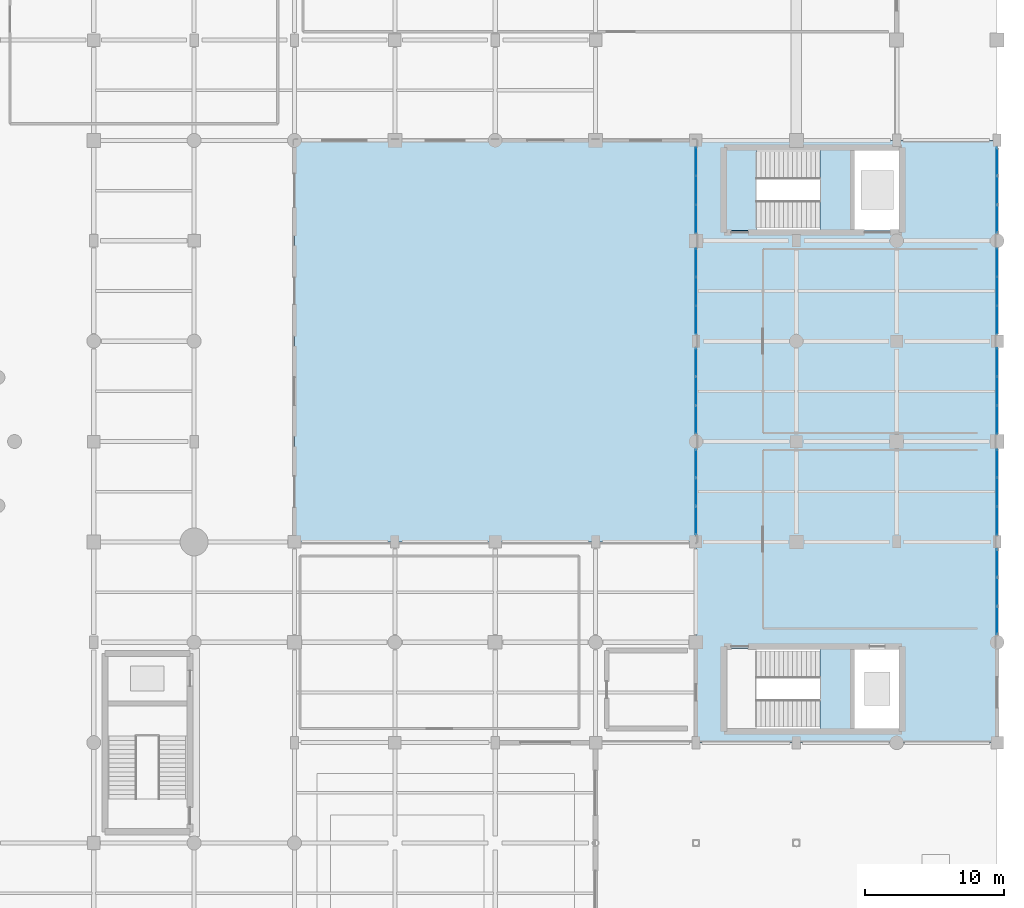
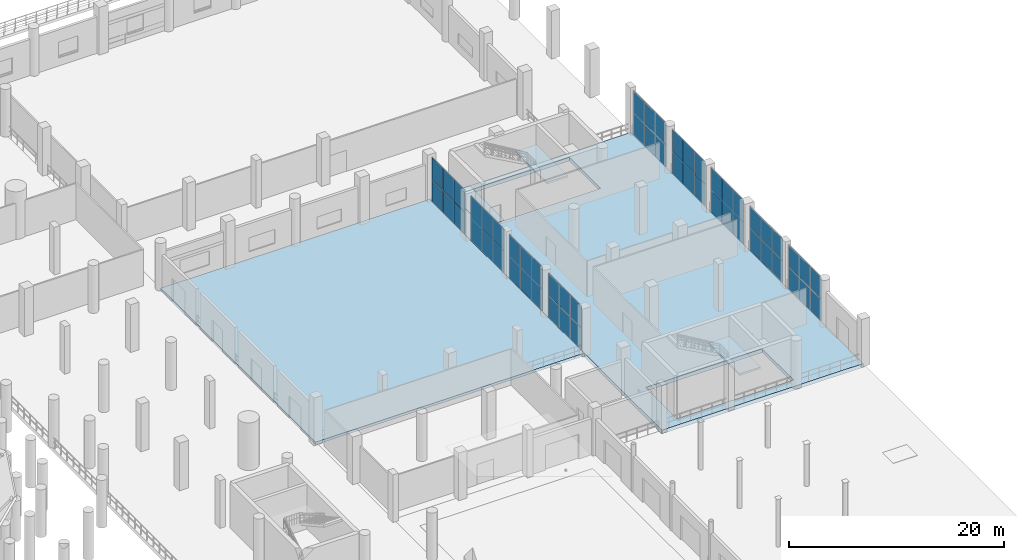
# One storey, part 30 of 58: 54 plates, 5 slabs, 11 elements without a shape of their own.
"""IFC4 building model written with IfcOpenShell, lengths in metres."""

from ifc_helpers import new_model, si_unit, direction, frame, origin, origin_2d, place, context, subcontext, project, spatial, polyline, rectangle, outline, extrude, material, layer, layer_set, type_object, element, aggregate, save


model = new_model("IFC4")

# Units and contexts
model_context = context("Model", 3, precision=1e-05, world=origin(), true_north=direction((0.0, 1.0)))
body_context = subcontext(model_context, "Body", "Model", "MODEL_VIEW")
ifc_project = project(units=[si_unit("LENGTHUNIT", "METRE"), si_unit("AREAUNIT", "SQUARE_METRE"), si_unit("VOLUMEUNIT", "CUBIC_METRE"), si_unit("PLANEANGLEUNIT", "RADIAN"), si_unit("MASSUNIT", "GRAM", prefix="KILO")], contexts=[model_context])

# Site, building, storey
site_placement = place(None, origin())
site = spatial("IfcSite", under=ifc_project, at=site_placement, CompositionType="ELEMENT")
building_placement = place(site_placement, origin())
building = spatial("IfcBuilding", under=site, at=building_placement, Name="Qandorah Velis Arena", CompositionType="ELEMENT")
storey_placement = place(building_placement, origin())
storey = spatial("IfcBuildingStorey", under=building, at=storey_placement, Name="L00", CompositionType="ELEMENT", Elevation=0.0)

# Curtain wall, plates
ifc_material_1 = material(Name="Solar-control low-E double glazing", Category="glass")
curtain_wall_type_1 = type_object("IfcCurtainWallType", Name="ARC-CW-SYS23", PredefinedType="USERDEFINED", material=ifc_material_1)
curtain_wall_1_placement = place(storey_placement, origin())
curtain_wall_1 = element("IfcCurtainWall", 1, at=curtain_wall_1_placement, inside=storey, type_object=curtain_wall_type_1, Name="Unitised curtain wall L00-119", ObjectType="UNITISED CURTAIN WALL", PredefinedType="USERDEFINED")
ifc_layer_1 = layer(ifc_material_1, 0.02392578125)
ifc_layer_set_1 = layer_set([ifc_layer_1], Name="Solar-control low-E double glazing")
plate_type_1 = type_object("IfcPlateType", Name="ARC-CWP-GLZ24", PredefinedType="CURTAIN_PANEL", material=ifc_layer_set_1)
plate_1_placement = place(storey_placement, frame((151.199951171875, 73.5234375, 0.050048828125), z_axis=(0.0, 0.0, 1.0), x_axis=(0.0, 1.0, 0.0)))
plate_1 = element("IfcPlate", 2, at=plate_1_placement, type_object=plate_type_1, Name="CW23 panel 1.1", PredefinedType="CURTAIN_PANEL", context=body_context, shape_type="SweptSolid", body=[
    extrude(rectangle(XDim=1.99658203125, YDim=0.02392578125, at=origin_2d()), origin(), (0.0, 0.0, 1.0), 2.47998046875),
])
plate_2_placement = place(storey_placement, frame((151.199951171875, 73.5234375, 2.570068359375), z_axis=(0.0, 0.0, 1.0), x_axis=(0.0, 1.0, 0.0)))
plate_2 = element("IfcPlate", 3, at=plate_2_placement, type_object=plate_type_1, Name="CW23 panel 1.2", PredefinedType="CURTAIN_PANEL", context=body_context, shape_type="SweptSolid", body=[
    extrude(rectangle(XDim=1.99658203125, YDim=0.02392578125, at=origin_2d()), origin(), (0.0, 0.0, 1.0), 2.47998046875),
])
plate_3_placement = place(storey_placement, frame((151.199951171875, 75.574951171875, 0.050048828125), z_axis=(0.0, 0.0, 1.0), x_axis=(0.0, 1.0, 0.0)))
plate_3 = element("IfcPlate", 4, at=plate_3_placement, type_object=plate_type_1, Name="CW23 panel 2.1", PredefinedType="CURTAIN_PANEL", context=body_context, shape_type="SweptSolid", body=[
    extrude(rectangle(XDim=2.026611328125, YDim=0.02392578125, at=origin_2d()), origin(), (0.0, 0.0, 1.0), 2.47998046875),
])
plate_4_placement = place(storey_placement, frame((151.199951171875, 75.574951171875, 2.570068359375), z_axis=(0.0, 0.0, 1.0), x_axis=(0.0, 1.0, 0.0)))
plate_4 = element("IfcPlate", 5, at=plate_4_placement, type_object=plate_type_1, Name="CW23 panel 2.2", PredefinedType="CURTAIN_PANEL", context=body_context, shape_type="SweptSolid", body=[
    extrude(rectangle(XDim=2.026611328125, YDim=0.02392578125, at=origin_2d()), origin(), (0.0, 0.0, 1.0), 2.47998046875),
])
plate_5_placement = place(storey_placement, frame((151.199951171875, 77.626708984375, 0.050048828125), z_axis=(0.0, 0.0, 1.0), x_axis=(0.0, 1.0, 0.0)))
plate_5 = element("IfcPlate", 6, at=plate_5_placement, type_object=plate_type_1, Name="CW23 panel 3.1", PredefinedType="CURTAIN_PANEL", context=body_context, shape_type="SweptSolid", body=[
    extrude(rectangle(XDim=1.99658203125, YDim=0.02392578125, at=origin_2d()), origin(), (0.0, 0.0, 1.0), 2.47998046875),
])
plate_6_placement = place(storey_placement, frame((151.199951171875, 77.626708984375, 2.570068359375), z_axis=(0.0, 0.0, 1.0), x_axis=(0.0, 1.0, 0.0)))
plate_6 = element("IfcPlate", 7, at=plate_6_placement, type_object=plate_type_1, Name="CW23 panel 3.2", PredefinedType="CURTAIN_PANEL", context=body_context, shape_type="SweptSolid", body=[
    extrude(rectangle(XDim=1.99658203125, YDim=0.02392578125, at=origin_2d()), origin(), (0.0, 0.0, 1.0), 2.47998046875),
])
aggregate(curtain_wall_1, [plate_1, plate_2, plate_3, plate_4, plate_5, plate_6])

curtain_wall_type_2 = type_object("IfcCurtainWallType", Name="ARC-CW-SYS14", PredefinedType="USERDEFINED", material=ifc_material_1)
curtain_wall_2_placement = place(storey_placement, origin())
curtain_wall_2 = element("IfcCurtainWall", 8, at=curtain_wall_2_placement, inside=storey, type_object=curtain_wall_type_2, Name="Unitised curtain wall L00-134", ObjectType="UNITISED CURTAIN WALL", PredefinedType="USERDEFINED")
plate_7_placement = place(storey_placement, frame((172.800048828125, 59.12451171875, 0.05517578125), z_axis=(0.0, 0.0, 1.0), x_axis=(0.0, 1.0, 0.0)))
plate_7 = element("IfcPlate", 9, at=plate_7_placement, type_object=plate_type_1, Name="CW14 panel 1.1", PredefinedType="CURTAIN_PANEL", context=body_context, shape_type="SweptSolid", body=[
    extrude(rectangle(XDim=1.9892578125, YDim=0.02392578125, at=origin_2d()), origin(), (0.0, 0.0, 1.0), 2.472412109375),
])
plate_8_placement = place(storey_placement, frame((172.800048828125, 59.12451171875, 2.57275390625), z_axis=(0.0, 0.0, 1.0), x_axis=(0.0, 1.0, 0.0)))
plate_8 = element("IfcPlate", 10, at=plate_8_placement, type_object=plate_type_1, Name="CW14 panel 1.2", PredefinedType="CURTAIN_PANEL", context=body_context, shape_type="SweptSolid", body=[
    extrude(rectangle(XDim=1.9892578125, YDim=0.02392578125, at=origin_2d()), origin(), (0.0, 0.0, 1.0), 2.472412109375),
])
plate_9_placement = place(storey_placement, frame((172.800048828125, 61.175048828125, 0.05517578125), z_axis=(0.0, 0.0, 1.0), x_axis=(0.0, 1.0, 0.0)))
plate_9 = element("IfcPlate", 11, at=plate_9_placement, type_object=plate_type_1, Name="CW14 panel 2.1", PredefinedType="CURTAIN_PANEL", context=body_context, shape_type="SweptSolid", body=[
    extrude(rectangle(XDim=2.021728515625, YDim=0.02392578125, at=origin_2d()), origin(), (0.0, 0.0, 1.0), 2.472412109375),
])
plate_10_placement = place(storey_placement, frame((172.800048828125, 61.175048828125, 2.57275390625), z_axis=(0.0, 0.0, 1.0), x_axis=(0.0, 1.0, 0.0)))
plate_10 = element("IfcPlate", 12, at=plate_10_placement, type_object=plate_type_1, Name="CW14 panel 2.2", PredefinedType="CURTAIN_PANEL", context=body_context, shape_type="SweptSolid", body=[
    extrude(rectangle(XDim=2.021728515625, YDim=0.02392578125, at=origin_2d()), origin(), (0.0, 0.0, 1.0), 2.472412109375),
])
plate_11_placement = place(storey_placement, frame((172.800048828125, 63.225341796875, 0.05517578125), z_axis=(0.0, 0.0, 1.0), x_axis=(0.0, 1.0, 0.0)))
plate_11 = element("IfcPlate", 13, at=plate_11_placement, type_object=plate_type_1, Name="CW14 panel 3.1", PredefinedType="CURTAIN_PANEL", context=body_context, shape_type="SweptSolid", body=[
    extrude(rectangle(XDim=1.9892578125, YDim=0.02392578125, at=origin_2d()), origin(), (0.0, 0.0, 1.0), 2.472412109375),
])
plate_12_placement = place(storey_placement, frame((172.800048828125, 63.225341796875, 2.57275390625), z_axis=(0.0, 0.0, 1.0), x_axis=(0.0, 1.0, 0.0)))
plate_12 = element("IfcPlate", 14, at=plate_12_placement, type_object=plate_type_1, Name="CW14 panel 3.2", PredefinedType="CURTAIN_PANEL", context=body_context, shape_type="SweptSolid", body=[
    extrude(rectangle(XDim=1.9892578125, YDim=0.02392578125, at=origin_2d()), origin(), (0.0, 0.0, 1.0), 2.472412109375),
])
aggregate(curtain_wall_2, [plate_7, plate_8, plate_9, plate_10, plate_11, plate_12])

curtain_wall_type_3 = type_object("IfcCurtainWallType", Name="ARC-CW-SYS22", PredefinedType="USERDEFINED", material=ifc_material_1)
curtain_wall_3_placement = place(storey_placement, origin())
curtain_wall_3 = element("IfcCurtainWall", 15, at=curtain_wall_3_placement, inside=storey, type_object=curtain_wall_type_3, Name="Unitised curtain wall L00-118", ObjectType="UNITISED CURTAIN WALL", PredefinedType="USERDEFINED")
ifc_layer_2 = layer(ifc_material_1, 0.028076171875)
ifc_layer_set_2 = layer_set([ifc_layer_2], Name="Solar-control low-E double glazing")
plate_type_2 = type_object("IfcPlateType", Name="ARC-CWP-GLZ28", PredefinedType="CURTAIN_PANEL", material=ifc_layer_set_2)
plate_13_placement = place(storey_placement, frame((151.199951171875, 66.37451171875, 0.05517578125), z_axis=(0.0, 0.0, 1.0), x_axis=(0.0, 1.0, 0.0)))
plate_13 = element("IfcPlate", 16, at=plate_13_placement, type_object=plate_type_2, Name="CW22 panel 1.1", PredefinedType="CURTAIN_PANEL", context=body_context, shape_type="SweptSolid", body=[
    extrude(rectangle(XDim=1.9892578125, YDim=0.028076171875, at=origin_2d()), origin(), (0.0, 0.0, 1.0), 2.472412109375),
])
plate_14_placement = place(storey_placement, frame((151.199951171875, 66.37451171875, 2.57275390625), z_axis=(0.0, 0.0, 1.0), x_axis=(0.0, 1.0, 0.0)))
plate_14 = element("IfcPlate", 17, at=plate_14_placement, type_object=plate_type_2, Name="CW22 panel 1.2", PredefinedType="CURTAIN_PANEL", context=body_context, shape_type="SweptSolid", body=[
    extrude(rectangle(XDim=1.9892578125, YDim=0.028076171875, at=origin_2d()), origin(), (0.0, 0.0, 1.0), 2.472412109375),
])
plate_15_placement = place(storey_placement, frame((151.199951171875, 68.425048828125, 0.05517578125), z_axis=(0.0, 0.0, 1.0), x_axis=(0.0, 1.0, 0.0)))
plate_15 = element("IfcPlate", 18, at=plate_15_placement, type_object=plate_type_2, Name="CW22 panel 2.1", PredefinedType="CURTAIN_PANEL", context=body_context, shape_type="SweptSolid", body=[
    extrude(rectangle(XDim=2.021728515625, YDim=0.028076171875, at=origin_2d()), origin(), (0.0, 0.0, 1.0), 2.472412109375),
])
plate_16_placement = place(storey_placement, frame((151.199951171875, 68.425048828125, 2.57275390625), z_axis=(0.0, 0.0, 1.0), x_axis=(0.0, 1.0, 0.0)))
plate_16 = element("IfcPlate", 19, at=plate_16_placement, type_object=plate_type_2, Name="CW22 panel 2.2", PredefinedType="CURTAIN_PANEL", context=body_context, shape_type="SweptSolid", body=[
    extrude(rectangle(XDim=2.021728515625, YDim=0.028076171875, at=origin_2d()), origin(), (0.0, 0.0, 1.0), 2.472412109375),
])
plate_17_placement = place(storey_placement, frame((151.199951171875, 70.475341796875, 0.05517578125), z_axis=(0.0, 0.0, 1.0), x_axis=(0.0, 1.0, 0.0)))
plate_17 = element("IfcPlate", 20, at=plate_17_placement, type_object=plate_type_2, Name="CW22 panel 3.1", PredefinedType="CURTAIN_PANEL", context=body_context, shape_type="SweptSolid", body=[
    extrude(rectangle(XDim=1.9892578125, YDim=0.028076171875, at=origin_2d()), origin(), (0.0, 0.0, 1.0), 2.472412109375),
])
plate_18_placement = place(storey_placement, frame((151.199951171875, 70.475341796875, 2.57275390625), z_axis=(0.0, 0.0, 1.0), x_axis=(0.0, 1.0, 0.0)))
plate_18 = element("IfcPlate", 21, at=plate_18_placement, type_object=plate_type_2, Name="CW22 panel 3.2", PredefinedType="CURTAIN_PANEL", context=body_context, shape_type="SweptSolid", body=[
    extrude(rectangle(XDim=1.9892578125, YDim=0.028076171875, at=origin_2d()), origin(), (0.0, 0.0, 1.0), 2.472412109375),
])
aggregate(curtain_wall_3, [plate_13, plate_14, plate_15, plate_16, plate_17, plate_18])

curtain_wall_type_4 = type_object("IfcCurtainWallType", Name="ARC-CW-SYS13", PredefinedType="USERDEFINED", material=ifc_material_1)
curtain_wall_4_placement = place(storey_placement, origin())
curtain_wall_4 = element("IfcCurtainWall", 22, at=curtain_wall_4_placement, inside=storey, type_object=curtain_wall_type_4, Name="Unitised curtain wall L00-133", ObjectType="UNITISED CURTAIN WALL", PredefinedType="USERDEFINED")
plate_19_placement = place(storey_placement, frame((172.800048828125, 51.97705078125, 0.06494140625), z_axis=(0.0, 0.0, 1.0), x_axis=(0.0, 1.0, 0.0)))
plate_19 = element("IfcPlate", 23, at=plate_19_placement, type_object=plate_type_2, Name="CW13 panel 1.1", PredefinedType="CURTAIN_PANEL", context=body_context, shape_type="SweptSolid", body=[
    extrude(rectangle(XDim=1.97412109375, YDim=0.028076171875, at=origin_2d()), origin(), (0.0, 0.0, 1.0), 2.45751953125),
])
plate_20_placement = place(storey_placement, frame((172.800048828125, 51.97705078125, 2.577392578125), z_axis=(0.0, 0.0, 1.0), x_axis=(0.0, 1.0, 0.0)))
plate_20 = element("IfcPlate", 24, at=plate_20_placement, type_object=plate_type_2, Name="CW13 panel 1.2", PredefinedType="CURTAIN_PANEL", context=body_context, shape_type="SweptSolid", body=[
    extrude(rectangle(XDim=1.97412109375, YDim=0.028076171875, at=origin_2d()), origin(), (0.0, 0.0, 1.0), 2.45751953125),
])
plate_21_placement = place(storey_placement, frame((172.800048828125, 54.02490234375, 0.06494140625), z_axis=(0.0, 0.0, 1.0), x_axis=(0.0, 1.0, 0.0)))
plate_21 = element("IfcPlate", 25, at=plate_21_placement, type_object=plate_type_2, Name="CW13 panel 2.1", PredefinedType="CURTAIN_PANEL", context=body_context, shape_type="SweptSolid", body=[
    extrude(rectangle(XDim=2.01171875, YDim=0.028076171875, at=origin_2d()), origin(), (0.0, 0.0, 1.0), 2.45751953125),
])
plate_22_placement = place(storey_placement, frame((172.800048828125, 54.02490234375, 2.577392578125), z_axis=(0.0, 0.0, 1.0), x_axis=(0.0, 1.0, 0.0)))
plate_22 = element("IfcPlate", 26, at=plate_22_placement, type_object=plate_type_2, Name="CW13 panel 2.2", PredefinedType="CURTAIN_PANEL", context=body_context, shape_type="SweptSolid", body=[
    extrude(rectangle(XDim=2.01171875, YDim=0.028076171875, at=origin_2d()), origin(), (0.0, 0.0, 1.0), 2.45751953125),
])
plate_23_placement = place(storey_placement, frame((172.800048828125, 56.072998046875, 0.06494140625), z_axis=(0.0, 0.0, 1.0), x_axis=(0.0, 1.0, 0.0)))
plate_23 = element("IfcPlate", 27, at=plate_23_placement, type_object=plate_type_2, Name="CW13 panel 3.1", PredefinedType="CURTAIN_PANEL", context=body_context, shape_type="SweptSolid", body=[
    extrude(rectangle(XDim=1.97412109375, YDim=0.028076171875, at=origin_2d()), origin(), (0.0, 0.0, 1.0), 2.45751953125),
])
plate_24_placement = place(storey_placement, frame((172.800048828125, 56.072998046875, 2.577392578125), z_axis=(0.0, 0.0, 1.0), x_axis=(0.0, 1.0, 0.0)))
plate_24 = element("IfcPlate", 28, at=plate_24_placement, type_object=plate_type_2, Name="CW13 panel 3.2", PredefinedType="CURTAIN_PANEL", context=body_context, shape_type="SweptSolid", body=[
    extrude(rectangle(XDim=1.97412109375, YDim=0.028076171875, at=origin_2d()), origin(), (0.0, 0.0, 1.0), 2.45751953125),
])
aggregate(curtain_wall_4, [plate_19, plate_20, plate_21, plate_22, plate_23, plate_24])

curtain_wall_type_5 = type_object("IfcCurtainWallType", Name="ARC-CW-SYS21", PredefinedType="USERDEFINED", material=ifc_material_1)
curtain_wall_5_placement = place(storey_placement, origin())
curtain_wall_5 = element("IfcCurtainWall", 29, at=curtain_wall_5_placement, inside=storey, type_object=curtain_wall_type_5, Name="Unitised curtain wall L00-117", ObjectType="UNITISED CURTAIN WALL", PredefinedType="USERDEFINED")
ifc_layer_3 = layer(ifc_material_1, 0.030029296875)
ifc_layer_set_3 = layer_set([ifc_layer_3], Name="Solar-control low-E double glazing")
plate_type_3 = type_object("IfcPlateType", Name="ARC-CWP-GLZ30", PredefinedType="CURTAIN_PANEL", material=ifc_layer_set_3)
plate_25_placement = place(storey_placement, frame((151.199951171875, 59.127197265625, 0.06494140625), z_axis=(0.0, 0.0, 1.0), x_axis=(0.0, 1.0, 0.0)))
plate_25 = element("IfcPlate", 30, at=plate_25_placement, type_object=plate_type_3, Name="CW21 panel 1.1", PredefinedType="CURTAIN_PANEL", context=body_context, shape_type="SweptSolid", body=[
    extrude(rectangle(XDim=1.97412109375, YDim=0.030029296875, at=origin_2d()), origin(), (0.0, 0.0, 1.0), 2.45751953125),
])
plate_26_placement = place(storey_placement, frame((151.199951171875, 59.127197265625, 2.577392578125), z_axis=(0.0, 0.0, 1.0), x_axis=(0.0, 1.0, 0.0)))
plate_26 = element("IfcPlate", 31, at=plate_26_placement, type_object=plate_type_3, Name="CW21 panel 1.2", PredefinedType="CURTAIN_PANEL", context=body_context, shape_type="SweptSolid", body=[
    extrude(rectangle(XDim=1.97412109375, YDim=0.030029296875, at=origin_2d()), origin(), (0.0, 0.0, 1.0), 2.45751953125),
])
plate_27_placement = place(storey_placement, frame((151.199951171875, 61.175048828125, 0.06494140625), z_axis=(0.0, 0.0, 1.0), x_axis=(0.0, 1.0, 0.0)))
plate_27 = element("IfcPlate", 32, at=plate_27_placement, type_object=plate_type_3, Name="CW21 panel 2.1", PredefinedType="CURTAIN_PANEL", context=body_context, shape_type="SweptSolid", body=[
    extrude(rectangle(XDim=2.01171875, YDim=0.030029296875, at=origin_2d()), origin(), (0.0, 0.0, 1.0), 2.45751953125),
])
plate_28_placement = place(storey_placement, frame((151.199951171875, 61.175048828125, 2.577392578125), z_axis=(0.0, 0.0, 1.0), x_axis=(0.0, 1.0, 0.0)))
plate_28 = element("IfcPlate", 33, at=plate_28_placement, type_object=plate_type_3, Name="CW21 panel 2.2", PredefinedType="CURTAIN_PANEL", context=body_context, shape_type="SweptSolid", body=[
    extrude(rectangle(XDim=2.01171875, YDim=0.030029296875, at=origin_2d()), origin(), (0.0, 0.0, 1.0), 2.45751953125),
])
plate_29_placement = place(storey_placement, frame((151.199951171875, 63.222900390625, 0.06494140625), z_axis=(0.0, 0.0, 1.0), x_axis=(0.0, 1.0, 0.0)))
plate_29 = element("IfcPlate", 34, at=plate_29_placement, type_object=plate_type_3, Name="CW21 panel 3.1", PredefinedType="CURTAIN_PANEL", context=body_context, shape_type="SweptSolid", body=[
    extrude(rectangle(XDim=1.97412109375, YDim=0.030029296875, at=origin_2d()), origin(), (0.0, 0.0, 1.0), 2.45751953125),
])
plate_30_placement = place(storey_placement, frame((151.199951171875, 63.222900390625, 2.577392578125), z_axis=(0.0, 0.0, 1.0), x_axis=(0.0, 1.0, 0.0)))
plate_30 = element("IfcPlate", 35, at=plate_30_placement, type_object=plate_type_3, Name="CW21 panel 3.2", PredefinedType="CURTAIN_PANEL", context=body_context, shape_type="SweptSolid", body=[
    extrude(rectangle(XDim=1.97412109375, YDim=0.030029296875, at=origin_2d()), origin(), (0.0, 0.0, 1.0), 2.45751953125),
])
aggregate(curtain_wall_5, [plate_25, plate_26, plate_27, plate_28, plate_29, plate_30])

curtain_wall_type_6 = type_object("IfcCurtainWallType", Name="ARC-CW-SYS17", PredefinedType="USERDEFINED", material=ifc_material_1)
curtain_wall_6_placement = place(storey_placement, origin())
curtain_wall_6 = element("IfcCurtainWall", 36, at=curtain_wall_6_placement, inside=storey, type_object=curtain_wall_type_6, Name="Unitised curtain wall L00-137", ObjectType="UNITISED CURTAIN WALL", PredefinedType="USERDEFINED")
plate_31_placement = place(storey_placement, frame((172.800048828125, 80.777099609375, 0.06494140625), z_axis=(0.0, 0.0, 1.0), x_axis=(0.0, 1.0, 0.0)))
plate_31 = element("IfcPlate", 37, at=plate_31_placement, type_object=plate_type_3, Name="CW17 panel 1.1", PredefinedType="CURTAIN_PANEL", context=body_context, shape_type="SweptSolid", body=[
    extrude(rectangle(XDim=1.97412109375, YDim=0.030029296875, at=origin_2d()), origin(), (0.0, 0.0, 1.0), 2.45751953125),
])
plate_32_placement = place(storey_placement, frame((172.800048828125, 80.777099609375, 2.577392578125), z_axis=(0.0, 0.0, 1.0), x_axis=(0.0, 1.0, 0.0)))
plate_32 = element("IfcPlate", 38, at=plate_32_placement, type_object=plate_type_3, Name="CW17 panel 1.2", PredefinedType="CURTAIN_PANEL", context=body_context, shape_type="SweptSolid", body=[
    extrude(rectangle(XDim=1.97412109375, YDim=0.030029296875, at=origin_2d()), origin(), (0.0, 0.0, 1.0), 2.45751953125),
])
plate_33_placement = place(storey_placement, frame((172.800048828125, 82.824951171875, 0.06494140625), z_axis=(0.0, 0.0, 1.0), x_axis=(0.0, 1.0, 0.0)))
plate_33 = element("IfcPlate", 39, at=plate_33_placement, type_object=plate_type_3, Name="CW17 panel 2.1", PredefinedType="CURTAIN_PANEL", context=body_context, shape_type="SweptSolid", body=[
    extrude(rectangle(XDim=2.01171875, YDim=0.030029296875, at=origin_2d()), origin(), (0.0, 0.0, 1.0), 2.45751953125),
])
plate_34_placement = place(storey_placement, frame((172.800048828125, 82.824951171875, 2.577392578125), z_axis=(0.0, 0.0, 1.0), x_axis=(0.0, 1.0, 0.0)))
plate_34 = element("IfcPlate", 40, at=plate_34_placement, type_object=plate_type_3, Name="CW17 panel 2.2", PredefinedType="CURTAIN_PANEL", context=body_context, shape_type="SweptSolid", body=[
    extrude(rectangle(XDim=2.01171875, YDim=0.030029296875, at=origin_2d()), origin(), (0.0, 0.0, 1.0), 2.45751953125),
])
plate_35_placement = place(storey_placement, frame((172.800048828125, 84.872802734375, 0.06494140625), z_axis=(0.0, 0.0, 1.0), x_axis=(0.0, 1.0, 0.0)))
plate_35 = element("IfcPlate", 41, at=plate_35_placement, type_object=plate_type_3, Name="CW17 panel 3.1", PredefinedType="CURTAIN_PANEL", context=body_context, shape_type="SweptSolid", body=[
    extrude(rectangle(XDim=1.97412109375, YDim=0.030029296875, at=origin_2d()), origin(), (0.0, 0.0, 1.0), 2.45751953125),
])
plate_36_placement = place(storey_placement, frame((172.800048828125, 84.872802734375, 2.577392578125), z_axis=(0.0, 0.0, 1.0), x_axis=(0.0, 1.0, 0.0)))
plate_36 = element("IfcPlate", 42, at=plate_36_placement, type_object=plate_type_3, Name="CW17 panel 3.2", PredefinedType="CURTAIN_PANEL", context=body_context, shape_type="SweptSolid", body=[
    extrude(rectangle(XDim=1.97412109375, YDim=0.030029296875, at=origin_2d()), origin(), (0.0, 0.0, 1.0), 2.45751953125),
])
aggregate(curtain_wall_6, [plate_31, plate_32, plate_33, plate_34, plate_35, plate_36])

curtain_wall_type_7 = type_object("IfcCurtainWallType", Name="ARC-CW-SYS16", PredefinedType="USERDEFINED", material=ifc_material_1)
curtain_wall_7_placement = place(storey_placement, origin())
curtain_wall_7 = element("IfcCurtainWall", 43, at=curtain_wall_7_placement, inside=storey, type_object=curtain_wall_type_7, Name="Unitised curtain wall L00-136", ObjectType="UNITISED CURTAIN WALL", PredefinedType="USERDEFINED")
ifc_layer_4 = layer(ifc_material_1, 0.035888671875)
ifc_layer_set_4 = layer_set([ifc_layer_4], Name="Solar-control low-E double glazing")
plate_type_4 = type_object("IfcPlateType", Name="ARC-CWP-GLZ36", PredefinedType="CURTAIN_PANEL", material=ifc_layer_set_4)
plate_37_placement = place(storey_placement, frame((172.800048828125, 73.52197265625, 0.044921875), z_axis=(0.0, 0.0, 1.0), x_axis=(0.0, 1.0, 0.0)))
plate_37 = element("IfcPlate", 44, at=plate_37_placement, type_object=plate_type_4, Name="CW16 panel 1.1", PredefinedType="CURTAIN_PANEL", context=body_context, shape_type="SweptSolid", body=[
    extrude(rectangle(XDim=2.004150390625, YDim=0.035888671875, at=origin_2d()), origin(), (0.0, 0.0, 1.0), 2.487548828125),
])
plate_38_placement = place(storey_placement, frame((172.800048828125, 73.52197265625, 2.5673828125), z_axis=(0.0, 0.0, 1.0), x_axis=(0.0, 1.0, 0.0)))
plate_38 = element("IfcPlate", 45, at=plate_38_placement, type_object=plate_type_4, Name="CW16 panel 1.2", PredefinedType="CURTAIN_PANEL", context=body_context, shape_type="SweptSolid", body=[
    extrude(rectangle(XDim=2.004150390625, YDim=0.035888671875, at=origin_2d()), origin(), (0.0, 0.0, 1.0), 2.487548828125),
])
plate_39_placement = place(storey_placement, frame((172.800048828125, 75.574951171875, 0.044921875), z_axis=(0.0, 0.0, 1.0), x_axis=(0.0, 1.0, 0.0)))
plate_39 = element("IfcPlate", 46, at=plate_39_placement, type_object=plate_type_4, Name="CW16 panel 2.1", PredefinedType="CURTAIN_PANEL", context=body_context, shape_type="SweptSolid", body=[
    extrude(rectangle(XDim=2.03173828125, YDim=0.035888671875, at=origin_2d()), origin(), (0.0, 0.0, 1.0), 2.487548828125),
])
plate_40_placement = place(storey_placement, frame((172.800048828125, 75.574951171875, 2.5673828125), z_axis=(0.0, 0.0, 1.0), x_axis=(0.0, 1.0, 0.0)))
plate_40 = element("IfcPlate", 47, at=plate_40_placement, type_object=plate_type_4, Name="CW16 panel 2.2", PredefinedType="CURTAIN_PANEL", context=body_context, shape_type="SweptSolid", body=[
    extrude(rectangle(XDim=2.03173828125, YDim=0.035888671875, at=origin_2d()), origin(), (0.0, 0.0, 1.0), 2.487548828125),
])
plate_41_placement = place(storey_placement, frame((172.800048828125, 77.6279296875, 0.044921875), z_axis=(0.0, 0.0, 1.0), x_axis=(0.0, 1.0, 0.0)))
plate_41 = element("IfcPlate", 48, at=plate_41_placement, type_object=plate_type_4, Name="CW16 panel 3.1", PredefinedType="CURTAIN_PANEL", context=body_context, shape_type="SweptSolid", body=[
    extrude(rectangle(XDim=2.004150390625, YDim=0.035888671875, at=origin_2d()), origin(), (0.0, 0.0, 1.0), 2.487548828125),
])
plate_42_placement = place(storey_placement, frame((172.800048828125, 77.6279296875, 2.5673828125), z_axis=(0.0, 0.0, 1.0), x_axis=(0.0, 1.0, 0.0)))
plate_42 = element("IfcPlate", 49, at=plate_42_placement, type_object=plate_type_4, Name="CW16 panel 3.2", PredefinedType="CURTAIN_PANEL", context=body_context, shape_type="SweptSolid", body=[
    extrude(rectangle(XDim=2.004150390625, YDim=0.035888671875, at=origin_2d()), origin(), (0.0, 0.0, 1.0), 2.487548828125),
])
aggregate(curtain_wall_7, [plate_37, plate_38, plate_39, plate_40, plate_41, plate_42])

curtain_wall_type_8 = type_object("IfcCurtainWallType", Name="ARC-CW-SYS24", PredefinedType="USERDEFINED", material=ifc_material_1)
curtain_wall_8_placement = place(storey_placement, origin())
curtain_wall_8 = element("IfcCurtainWall", 50, at=curtain_wall_8_placement, inside=storey, type_object=curtain_wall_type_8, Name="Unitised curtain wall L00-120", ObjectType="UNITISED CURTAIN WALL", PredefinedType="USERDEFINED")
ifc_layer_5 = layer(ifc_material_1, 0.0439453125)
ifc_layer_set_5 = layer_set([ifc_layer_5], Name="Solar-control low-E double glazing")
plate_type_5 = type_object("IfcPlateType", Name="ARC-CWP-SPN44", PredefinedType="CURTAIN_PANEL", material=ifc_layer_set_5)
plate_43_placement = place(storey_placement, frame((151.199951171875, 80.77197265625, 0.044921875), z_axis=(0.0, 0.0, 1.0), x_axis=(0.0, 1.0, 0.0)))
plate_43 = element("IfcPlate", 51, at=plate_43_placement, type_object=plate_type_5, Name="CW24 panel 1.1", PredefinedType="CURTAIN_PANEL", context=body_context, shape_type="SweptSolid", body=[
    extrude(rectangle(XDim=2.004150390625, YDim=0.0439453125, at=origin_2d()), origin(), (0.0, 0.0, 1.0), 2.487548828125),
])
plate_44_placement = place(storey_placement, frame((151.199951171875, 80.77197265625, 2.5673828125), z_axis=(0.0, 0.0, 1.0), x_axis=(0.0, 1.0, 0.0)))
plate_44 = element("IfcPlate", 52, at=plate_44_placement, type_object=plate_type_5, Name="CW24 panel 1.2", PredefinedType="CURTAIN_PANEL", context=body_context, shape_type="SweptSolid", body=[
    extrude(rectangle(XDim=2.004150390625, YDim=0.0439453125, at=origin_2d()), origin(), (0.0, 0.0, 1.0), 2.487548828125),
])
plate_45_placement = place(storey_placement, frame((151.199951171875, 82.824951171875, 0.044921875), z_axis=(0.0, 0.0, 1.0), x_axis=(0.0, 1.0, 0.0)))
plate_45 = element("IfcPlate", 53, at=plate_45_placement, type_object=plate_type_5, Name="CW24 panel 2.1", PredefinedType="CURTAIN_PANEL", context=body_context, shape_type="SweptSolid", body=[
    extrude(rectangle(XDim=2.03173828125, YDim=0.0439453125, at=origin_2d()), origin(), (0.0, 0.0, 1.0), 2.487548828125),
])
plate_46_placement = place(storey_placement, frame((151.199951171875, 82.824951171875, 2.5673828125), z_axis=(0.0, 0.0, 1.0), x_axis=(0.0, 1.0, 0.0)))
plate_46 = element("IfcPlate", 54, at=plate_46_placement, type_object=plate_type_5, Name="CW24 panel 2.2", PredefinedType="CURTAIN_PANEL", context=body_context, shape_type="SweptSolid", body=[
    extrude(rectangle(XDim=2.03173828125, YDim=0.0439453125, at=origin_2d()), origin(), (0.0, 0.0, 1.0), 2.487548828125),
])
plate_47_placement = place(storey_placement, frame((151.199951171875, 84.8779296875, 0.044921875), z_axis=(0.0, 0.0, 1.0), x_axis=(0.0, 1.0, 0.0)))
plate_47 = element("IfcPlate", 55, at=plate_47_placement, type_object=plate_type_5, Name="CW24 panel 3.1", PredefinedType="CURTAIN_PANEL", context=body_context, shape_type="SweptSolid", body=[
    extrude(rectangle(XDim=2.004150390625, YDim=0.0439453125, at=origin_2d()), origin(), (0.0, 0.0, 1.0), 2.487548828125),
])
plate_48_placement = place(storey_placement, frame((151.199951171875, 84.8779296875, 2.5673828125), z_axis=(0.0, 0.0, 1.0), x_axis=(0.0, 1.0, 0.0)))
plate_48 = element("IfcPlate", 56, at=plate_48_placement, type_object=plate_type_5, Name="CW24 panel 3.2", PredefinedType="CURTAIN_PANEL", context=body_context, shape_type="SweptSolid", body=[
    extrude(rectangle(XDim=2.004150390625, YDim=0.0439453125, at=origin_2d()), origin(), (0.0, 0.0, 1.0), 2.487548828125),
])
aggregate(curtain_wall_8, [plate_43, plate_44, plate_45, plate_46, plate_47, plate_48])

curtain_wall_type_9 = type_object("IfcCurtainWallType", Name="ARC-CW-SYS15", PredefinedType="USERDEFINED", material=ifc_material_1)
curtain_wall_9_placement = place(storey_placement, origin())
curtain_wall_9 = element("IfcCurtainWall", 57, at=curtain_wall_9_placement, inside=storey, type_object=curtain_wall_type_9, Name="Unitised curtain wall L00-135", ObjectType="UNITISED CURTAIN WALL", PredefinedType="USERDEFINED")
plate_49_placement = place(storey_placement, frame((172.800048828125, 66.373291015625, 0.050048828125), z_axis=(0.0, 0.0, 1.0), x_axis=(0.0, 1.0, 0.0)))
plate_49 = element("IfcPlate", 58, at=plate_49_placement, type_object=plate_type_5, Name="CW15 panel 1.1", PredefinedType="CURTAIN_PANEL", context=body_context, shape_type="SweptSolid", body=[
    extrude(rectangle(XDim=1.99658203125, YDim=0.0439453125, at=origin_2d()), origin(), (0.0, 0.0, 1.0), 2.47998046875),
])
plate_50_placement = place(storey_placement, frame((172.800048828125, 66.373291015625, 2.570068359375), z_axis=(0.0, 0.0, 1.0), x_axis=(0.0, 1.0, 0.0)))
plate_50 = element("IfcPlate", 59, at=plate_50_placement, type_object=plate_type_5, Name="CW15 panel 1.2", PredefinedType="CURTAIN_PANEL", context=body_context, shape_type="SweptSolid", body=[
    extrude(rectangle(XDim=1.99658203125, YDim=0.0439453125, at=origin_2d()), origin(), (0.0, 0.0, 1.0), 2.47998046875),
])
plate_51_placement = place(storey_placement, frame((172.800048828125, 68.425048828125, 0.050048828125), z_axis=(0.0, 0.0, 1.0), x_axis=(0.0, 1.0, 0.0)))
plate_51 = element("IfcPlate", 60, at=plate_51_placement, type_object=plate_type_5, Name="CW15 panel 2.1", PredefinedType="CURTAIN_PANEL", context=body_context, shape_type="SweptSolid", body=[
    extrude(rectangle(XDim=2.026611328125, YDim=0.0439453125, at=origin_2d()), origin(), (0.0, 0.0, 1.0), 2.47998046875),
])
plate_52_placement = place(storey_placement, frame((172.800048828125, 68.425048828125, 2.570068359375), z_axis=(0.0, 0.0, 1.0), x_axis=(0.0, 1.0, 0.0)))
plate_52 = element("IfcPlate", 61, at=plate_52_placement, type_object=plate_type_5, Name="CW15 panel 2.2", PredefinedType="CURTAIN_PANEL", context=body_context, shape_type="SweptSolid", body=[
    extrude(rectangle(XDim=2.026611328125, YDim=0.0439453125, at=origin_2d()), origin(), (0.0, 0.0, 1.0), 2.47998046875),
])
plate_53_placement = place(storey_placement, frame((172.800048828125, 70.4765625, 0.050048828125), z_axis=(0.0, 0.0, 1.0), x_axis=(0.0, 1.0, 0.0)))
plate_53 = element("IfcPlate", 62, at=plate_53_placement, type_object=plate_type_5, Name="CW15 panel 3.1", PredefinedType="CURTAIN_PANEL", context=body_context, shape_type="SweptSolid", body=[
    extrude(rectangle(XDim=1.99658203125, YDim=0.0439453125, at=origin_2d()), origin(), (0.0, 0.0, 1.0), 2.47998046875),
])
plate_54_placement = place(storey_placement, frame((172.800048828125, 70.4765625, 2.570068359375), z_axis=(0.0, 0.0, 1.0), x_axis=(0.0, 1.0, 0.0)))
plate_54 = element("IfcPlate", 63, at=plate_54_placement, type_object=plate_type_5, Name="CW15 panel 3.2", PredefinedType="CURTAIN_PANEL", context=body_context, shape_type="SweptSolid", body=[
    extrude(rectangle(XDim=1.99658203125, YDim=0.0439453125, at=origin_2d()), origin(), (0.0, 0.0, 1.0), 2.47998046875),
])
aggregate(curtain_wall_9, [plate_49, plate_50, plate_51, plate_52, plate_53, plate_54])

# Slab
ifc_material_2 = material(Name="Concrete C40/50", Category="concrete")
ifc_layer_6 = layer(ifc_material_2, 0.300048828125)
ifc_layer_set_6 = layer_set([ifc_layer_6], Name="Concrete C40/50")
slab_type_1 = type_object("IfcSlabType", Name="STR-SLB-FL300", PredefinedType="FLOOR", material=ifc_layer_set_6)
slab_1_placement = place(storey_placement, frame((0.0, 0.0, -0.300048828125)))
element("IfcSlab", 64, at=slab_1_placement, inside=storey, type_object=slab_type_1, Name="Shaded Oasis Court stone paving slab", PredefinedType="FLOOR", context=body_context, shape_type="SweptSolid", body=[
    extrude(outline(polyline([(122.39990234375, 57.60009765625), (151.199951171875, 57.60009765625), (151.199951171875, 86.39990234375), (122.39990234375, 86.39990234375), (122.39990234375, 57.60009765625)])), origin(), (0.0, 0.0, 1.0), 0.300048828125),
])

# Stair, slab
stair_type = type_object("IfcStairType", Name="ARC-ST-CORE54", PredefinedType="HALF_TURN_STAIR", material=ifc_material_2)
stair_1_placement = place(storey_placement, origin())
stair_1 = element("IfcStair", 65, at=stair_1_placement, inside=storey, type_object=stair_type, Name="Protected exit stair ST7 (L00)", PredefinedType="HALF_TURN_STAIR")
ifc_layer_7 = layer(ifc_material_2, 0.219970703125)
ifc_layer_set_7 = layer_set([ifc_layer_7], Name="Concrete C40/50")
slab_type_2 = type_object("IfcSlabType", Name="STR-SLB-LND220", PredefinedType="LANDING", material=ifc_layer_set_7)
slab_2_placement = place(storey_placement, frame((0.0, 0.0, 2.47998046875)))
slab_2 = element("IfcSlab", 66, at=slab_2_placement, type_object=slab_type_2, Name="ST7 landing 1", PredefinedType="LANDING", context=body_context, shape_type="SweptSolid", body=[
    extrude(outline(polyline([(160.0859375, 44.14990234375), (162.3359375, 44.14990234375), (162.3359375, 49.949951171875), (160.0859375, 49.949951171875), (160.0859375, 44.14990234375)])), origin(), (0.0, 0.0, 1.0), 0.219970703125),
])
aggregate(stair_1, [slab_2])

# Slab
slab_3_placement = place(storey_placement, frame((0.0, 0.0, -0.219970703125)))
element("IfcSlab", 67, at=slab_3_placement, inside=storey, type_object=slab_type_2, Name="Stair ST8 storey landing slab L00", PredefinedType="LANDING", context=body_context, shape_type="SweptSolid", body=[
    extrude(outline(polyline([(153.35009765625, 79.949951171875), (155.550048828125, 79.949951171875), (155.550048828125, 85.75), (153.35009765625, 85.75), (153.35009765625, 79.949951171875)])), origin(), (0.0, 0.0, 1.0), 0.219970703125),
])

# Stair, slab
stair_2_placement = place(storey_placement, origin())
stair_2 = element("IfcStair", 68, at=stair_2_placement, inside=storey, type_object=stair_type, Name="Protected exit stair ST8 (L00)", PredefinedType="HALF_TURN_STAIR")
slab_4_placement = place(storey_placement, frame((0.0, 0.0, 2.47998046875)))
slab_4 = element("IfcSlab", 69, at=slab_4_placement, type_object=slab_type_2, Name="ST8 landing 1", PredefinedType="LANDING", context=body_context, shape_type="SweptSolid", body=[
    extrude(outline(polyline([(160.0859375, 79.949951171875), (162.3359375, 79.949951171875), (162.3359375, 85.75), (160.0859375, 85.75), (160.0859375, 79.949951171875)])), origin(), (0.0, 0.0, 1.0), 0.219970703125),
])
aggregate(stair_2, [slab_4])

# Slab
ifc_layer_8 = layer(ifc_material_2, 0.419921875)
ifc_layer_set_8 = layer_set([ifc_layer_8], Name="Concrete C40/50")
slab_type_3 = type_object("IfcSlabType", Name="STR-SLB-PLZ420", PredefinedType="FLOOR", material=ifc_layer_set_8)
slab_5_placement = place(storey_placement, frame((0.0, 0.0, -0.419921875)))
element("IfcSlab", 70, at=slab_5_placement, inside=storey, type_object=slab_type_3, Name="Structural floor slab L00_OASIS_EAST", PredefinedType="FLOOR", context=body_context, shape_type="SweptSolid", body=[
    extrude(outline(polyline([(172.800048828125, 43.199951171875), (151.199951171875, 43.199951171875), (151.199951171875, 86.39990234375), (172.800048828125, 86.39990234375), (172.800048828125, 43.199951171875)]), holes=[polyline([(155.554931640625, 44.14501953125), (165.85498046875, 44.14501953125), (165.85498046875, 49.955078125), (155.554931640625, 49.955078125), (153.344970703125, 49.955078125), (153.344970703125, 44.14501953125), (155.554931640625, 44.14501953125)]), polyline([(153.344970703125, 79.945068359375), (155.554931640625, 79.945068359375), (165.85498046875, 79.945068359375), (165.85498046875, 85.7548828125), (153.344970703125, 85.7548828125), (153.344970703125, 85.7548828125), (153.344970703125, 79.945068359375)])]), origin(), (0.0, 0.0, 1.0), 0.419921875),
])

save(model, "model.ifc")
